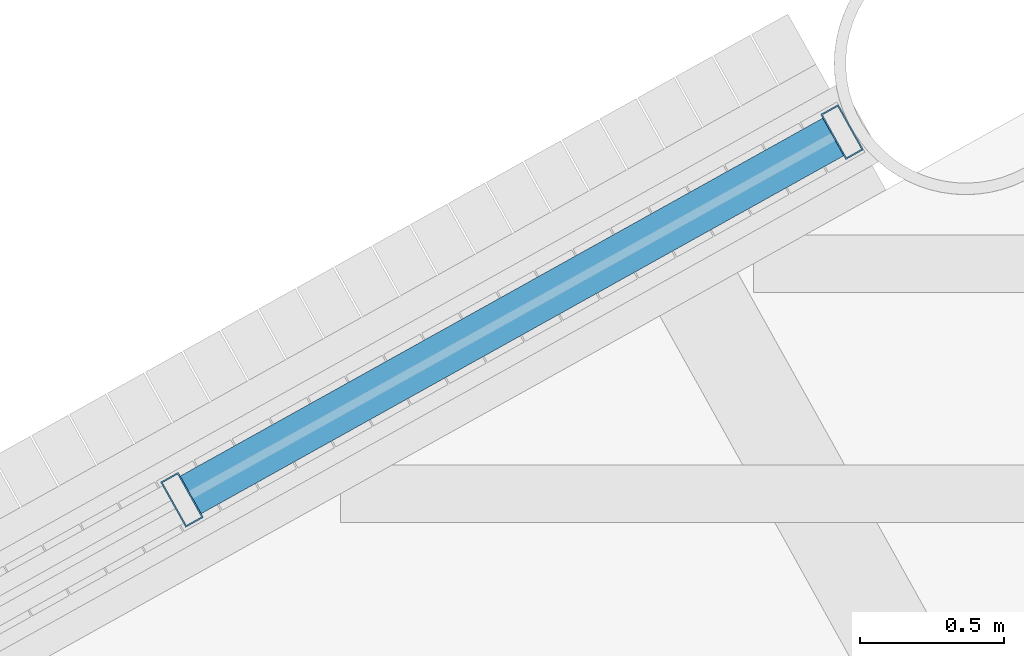
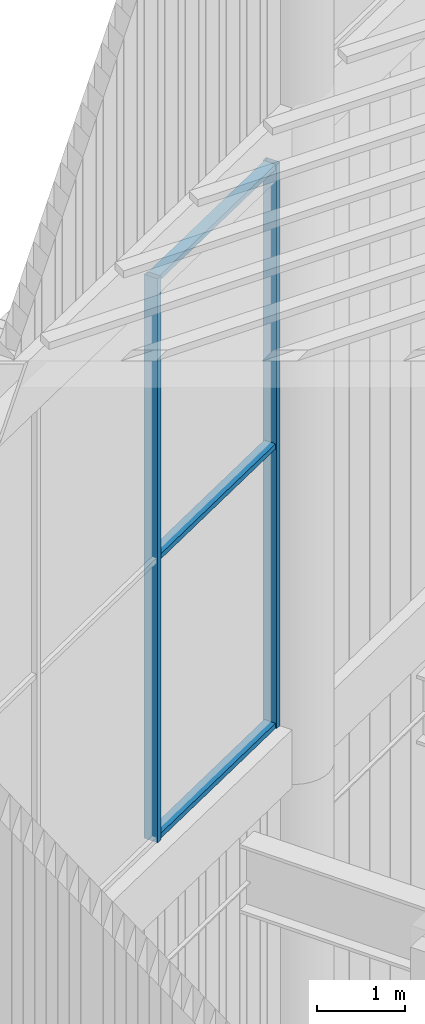
# One storey, part 19 of 117: 5 members, 1 element without a shape of its own.
"""IFC4 building model written with IfcOpenShell, lengths in metres."""

from ifc_helpers import new_model, si_unit, direction, frame, origin, origin_2d, place, context, subcontext, project, spatial, hollow_rectangle, extrude, material, layer, layer_set, material_profile, profile_set, type_object, element, aggregate, save


model = new_model("IFC4")

# Units and contexts
model_context = context("Model", 3, precision=1e-05, world=origin(), true_north=direction((0.0, 1.0)))
body_context = subcontext(model_context, "Body", "Model", "MODEL_VIEW")
ifc_project = project(units=[si_unit("LENGTHUNIT", "METRE"), si_unit("AREAUNIT", "SQUARE_METRE"), si_unit("VOLUMEUNIT", "CUBIC_METRE"), si_unit("PLANEANGLEUNIT", "RADIAN"), si_unit("MASSUNIT", "GRAM", prefix="KILO")], contexts=[model_context])

# Site, building, storey
site_placement = place(None, origin())
site = spatial("IfcSite", under=ifc_project, at=site_placement, CompositionType="ELEMENT")
building_placement = place(site_placement, origin())
building = spatial("IfcBuilding", under=site, at=building_placement, Name="Tarsis Ring Headquarters", CompositionType="ELEMENT")
storey_placement = place(building_placement, frame((0.0, 0.0, 403.60009765625)))
storey = spatial("IfcBuildingStorey", under=building, at=storey_placement, Name="L95", CompositionType="ELEMENT", Elevation=403.60009765625)

# Curtain wall, members
ifc_material_1 = material(Name="Aluminium curtain wall", Category="aluminium")
ifc_layer = layer(ifc_material_1, 0.179931640625)
ifc_layer_set = layer_set([ifc_layer], Name="Curtain wall crown glazing")
curtain_wall_type = type_object("IfcCurtainWallType", Name="Curtain wall crown glazing", PredefinedType="NOTDEFINED", material=ifc_layer_set)
curtain_wall_placement = place(storey_placement, origin())
curtain_wall = element("IfcCurtainWall", 1, at=curtain_wall_placement, inside=storey, type_object=curtain_wall_type, Name="Crown glazing L15", PredefinedType="NOTDEFINED")
ifc_material_2 = material(Name="Aluminium mullion", Category="aluminium")
ifc_material_profile_1 = material_profile(ifc_material_2, hollow_rectangle(XDim=0.179931640625, YDim=0.070068359375, WallThickness=0.0048828125, at=origin_2d()), Name="RHS 180x70x5")
ifc_profile_set_1 = profile_set([ifc_material_profile_1], Name="Aluminium mullion")
member_type_1 = type_object("IfcMemberType", Name="Crown glazing mullion RHS 180x70x5", PredefinedType="MULLION", material=ifc_profile_set_1)
member_1_placement = place(storey_placement, frame((-37.245361328125, -3.80615234375, 5.7998046875), z_axis=(0.0, 0.0, 1.0), x_axis=(0.486640300948, -0.873602436748, 0.0)))
member_1 = element("IfcMember", 2, at=member_1_placement, type_object=member_type_1, Name="CW-C mullion 1", PredefinedType="MULLION", context=body_context, shape_type="SweptSolid", body=[
    extrude(hollow_rectangle(XDim=0.179931640625, YDim=0.070068359375, WallThickness=0.0048828125, at=origin_2d()), origin(), (0.0, 0.0, 1.0), 7.800048828125),
])
member_2_placement = place(storey_placement, frame((-39.540771484375, -5.0849609375, 5.7998046875), z_axis=(0.0, 0.0, 1.0), x_axis=(0.486640300948, -0.873602436748, 0.0)))
member_2 = element("IfcMember", 3, at=member_2_placement, type_object=member_type_1, Name="CW-C mullion 2", PredefinedType="MULLION", context=body_context, shape_type="SweptSolid", body=[
    extrude(hollow_rectangle(XDim=0.179931640625, YDim=0.070068359375, WallThickness=0.0048828125, at=origin_2d()), origin(), (0.0, 0.0, 1.0), 7.800048828125),
])
ifc_material_3 = material(Name="Aluminium transom", Category="aluminium")
ifc_material_profile_2 = material_profile(ifc_material_3, hollow_rectangle(XDim=0.14990234375, YDim=0.070068359375, WallThickness=0.0048828125, at=origin_2d()), Name="RHS 150x70x5")
ifc_profile_set_2 = profile_set([ifc_material_profile_2], Name="Aluminium transom")
member_type_2 = type_object("IfcMemberType", Name="Crown glazing transom RHS 150x70x5", PredefinedType="USERDEFINED", material=ifc_profile_set_2)
member_3_placement = place(storey_placement, frame((-37.27587890625, -3.8232421875, 5.8349609375), z_axis=(-0.873607398367, -0.486631393889, 0.0), x_axis=(0.486631393889, -0.873607398367, 0.0)))
member_3 = element("IfcMember", 4, at=member_3_placement, type_object=member_type_2, Name="CW-C transom 1.1", ObjectType="TRANSOM", PredefinedType="USERDEFINED", context=body_context, shape_type="SweptSolid", body=[
    extrude(hollow_rectangle(XDim=0.14990234375, YDim=0.070068359375, WallThickness=0.0048828125, at=origin_2d()), origin(), (0.0, 0.0, 1.0), 2.5576171875),
])
member_4_placement = place(storey_placement, frame((-37.27587890625, -3.8232421875, 9.699951171875), z_axis=(-0.873607398367, -0.486631393889, 0.0), x_axis=(0.486631393889, -0.873607398367, 0.0)))
member_4 = element("IfcMember", 5, at=member_4_placement, type_object=member_type_2, Name="CW-C transom 1.2", ObjectType="TRANSOM", PredefinedType="USERDEFINED", context=body_context, shape_type="SweptSolid", body=[
    extrude(hollow_rectangle(XDim=0.14990234375, YDim=0.070068359375, WallThickness=0.0048828125, at=origin_2d()), origin(), (0.0, 0.0, 1.0), 2.5576171875),
])
member_5_placement = place(storey_placement, frame((-37.27587890625, -3.8232421875, 13.56494140625), z_axis=(-0.873607398367, -0.486631393889, 0.0), x_axis=(0.486631393889, -0.873607398367, 0.0)))
member_5 = element("IfcMember", 6, at=member_5_placement, type_object=member_type_2, Name="CW-C transom 1.3", ObjectType="TRANSOM", PredefinedType="USERDEFINED", context=body_context, shape_type="SweptSolid", body=[
    extrude(hollow_rectangle(XDim=0.14990234375, YDim=0.070068359375, WallThickness=0.0048828125, at=origin_2d()), origin(), (0.0, 0.0, 1.0), 2.5576171875),
])
aggregate(curtain_wall, [member_1, member_2, member_3, member_4, member_5])

save(model, "model.ifc")
